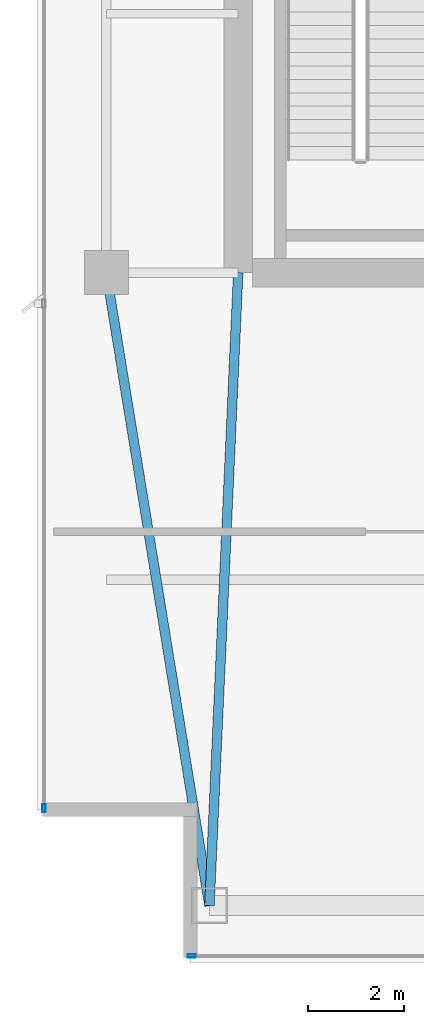
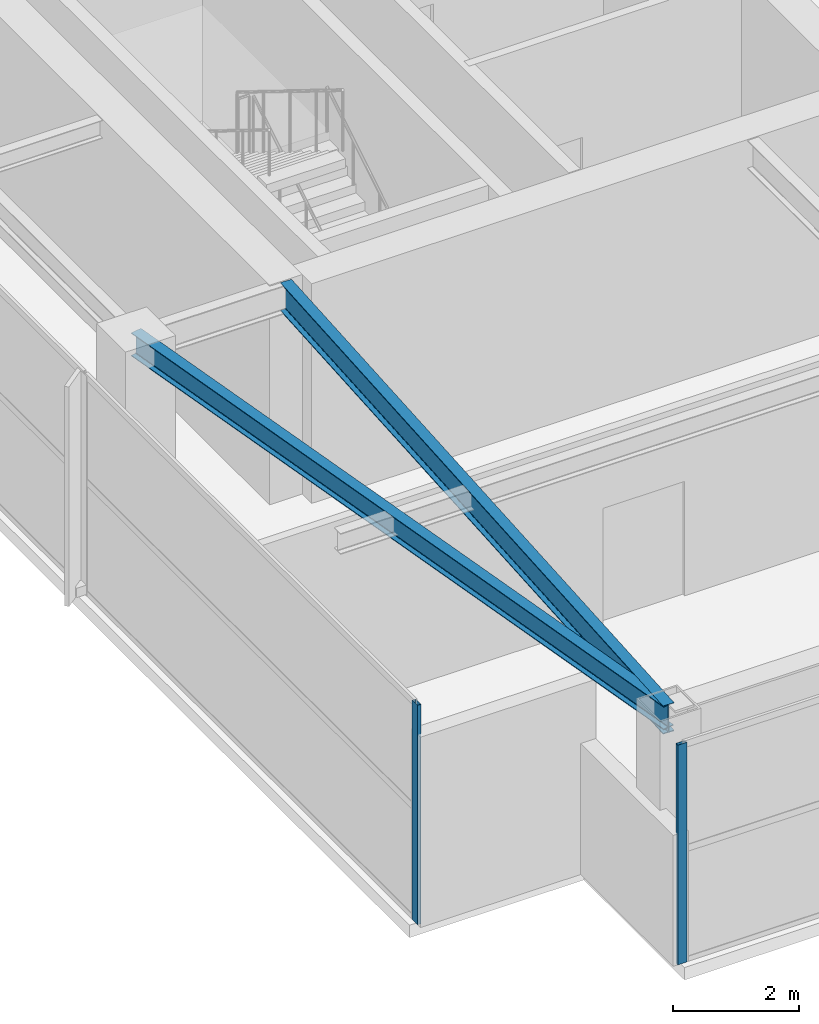
# One storey, part 2 of 25: 2 beams, 2 members, 2 elements without a shape of their own.
"""IFC4 building model written with IfcOpenShell, lengths in metres."""

from ifc_helpers import new_model, si_unit, direction, frame, origin, origin_2d, place, context, subcontext, project, spatial, hollow_rectangle, i_section, extrude, material, layer, layer_set, material_profile, profile_set, type_object, element, aggregate, save


model = new_model("IFC4")

# Units and contexts
model_context = context("Model", 3, precision=1e-05, world=origin(), true_north=direction((0.0, 1.0)))
body_context = subcontext(model_context, "Body", "Model", "MODEL_VIEW")
ifc_project = project(units=[si_unit("LENGTHUNIT", "METRE"), si_unit("AREAUNIT", "SQUARE_METRE"), si_unit("VOLUMEUNIT", "CUBIC_METRE"), si_unit("PLANEANGLEUNIT", "RADIAN"), si_unit("MASSUNIT", "GRAM", prefix="KILO")], contexts=[model_context])

# Site, building, storey
site_placement = place(None, origin())
site = spatial("IfcSite", under=ifc_project, at=site_placement, CompositionType="ELEMENT")
building_placement = place(site_placement, origin())
building = spatial("IfcBuilding", under=site, at=building_placement, Name="Calvorn Quay Hotel", CompositionType="ELEMENT")
storey_placement = place(building_placement, frame((0.0, 0.0, 316.0)))
storey = spatial("IfcBuildingStorey", under=building, at=storey_placement, Name="L78", CompositionType="ELEMENT", Elevation=316.0)

# Beams
ifc_material_1 = material(Name="Steel Q355B", Category="steel")
ifc_material_profile_1 = material_profile(ifc_material_1, i_section(OverallWidth=0.199951171875, OverallDepth=0.550048828125, WebThickness=0.010009765625, FlangeThickness=0.01611328125, FilletRadius=0.01806640625, at=origin_2d()), Name="HN550x200x10x16")
ifc_profile_set_1 = profile_set([ifc_material_profile_1], Name="Steel Q355B")
beam_type_1 = type_object("IfcBeamType", Name="BM-GIRD-UPP", PredefinedType="BEAM", material=ifc_profile_set_1)
beam_1_placement = place(storey_placement, frame((3.60009765625, 3.60009765625, 3.965087890625), z_axis=(0.045396765494, 0.998969035397, 0.0), x_axis=(-0.998969035397, 0.045396765494, 0.0)))
element("IfcBeam", 1, at=beam_1_placement, inside=storey, type_object=beam_type_1, Name="Beam BG-L78-W0", PredefinedType="BEAM", context=body_context, shape_type="SweptSolid", body=[
    extrude(i_section(OverallWidth=0.199951171875, OverallDepth=0.550048828125, WebThickness=0.010009765625, FlangeThickness=0.01611328125, FilletRadius=0.01806640625, at=origin_2d()), origin(), (0.0, 0.0, 1.0), 13.213623046875),
])
ifc_material_2 = material(Name="Steel Q355B", Category="steel")
ifc_material_profile_2 = material_profile(ifc_material_2, i_section(OverallWidth=0.199951171875, OverallDepth=0.449951171875, WebThickness=0.009033203125, FlangeThickness=0.013916015625, FilletRadius=0.01611328125, at=origin_2d()), Name="HN450x200x9x14")
ifc_profile_set_2 = profile_set([ifc_material_profile_2], Name="Steel Q355B")
beam_type_2 = type_object("IfcBeamType", Name="BM-SPANDREL-Z3", PredefinedType="SPANDREL", material=ifc_profile_set_2)
beam_2_placement = place(storey_placement, frame((3.60009765625, 3.60009765625, 4.014892578125), z_axis=(-0.16077155054, 0.986991645627, 0.0), x_axis=(-0.986991645627, -0.16077155054, 0.0)))
element("IfcBeam", 2, at=beam_2_placement, inside=storey, type_object=beam_type_2, Name="Beam BSP-L78-W1", PredefinedType="SPANDREL", context=body_context, shape_type="SweptSolid", body=[
    extrude(i_section(OverallWidth=0.199951171875, OverallDepth=0.449951171875, WebThickness=0.009033203125, FlangeThickness=0.013916015625, FilletRadius=0.01611328125, at=origin_2d()), origin(), (0.0, 0.0, 1.0), 13.3740234375),
])

# Curtain wall, member
ifc_material_3 = material(Name="Champagne Bronze Anodised Aluminium and Low-E Glass", Category="aluminium")
ifc_layer = layer(ifc_material_3, 0.219970703125)
ifc_layer_set = layer_set([ifc_layer], Name="CW-SYS-Z4")
curtain_wall_type = type_object("IfcCurtainWallType", Name="CW-SYS-Z4", PredefinedType="NOTDEFINED", material=ifc_layer_set)
curtain_wall_1_placement = place(storey_placement, origin())
curtain_wall_1 = element("IfcCurtainWall", 3, at=curtain_wall_1_placement, inside=storey, type_object=curtain_wall_type, Name="Tower West Curtain Wall (L78)", PredefinedType="NOTDEFINED")
ifc_material_4 = material(Name="Champagne Bronze Anodised Aluminium 6063-T6", Category="aluminium")
ifc_material_profile_3 = material_profile(ifc_material_4, hollow_rectangle(XDim=0.06494140625, YDim=0.169921875, WallThickness=0.00341796875, at=origin_2d()), Name="ALU-M170x65x3.5")
ifc_profile_set_3 = profile_set([ifc_material_profile_3], Name="Champagne Bronze Anodised Aluminium 6063-T6")
member_type = type_object("IfcMemberType", Name="CW-SYS-Z4-MUL", PredefinedType="MULLION", material=ifc_profile_set_3)
member_1_placement = place(storey_placement, frame((0.14990234375, 5.6298828125, 0.0), z_axis=(0.0, 0.0, 1.0), x_axis=(-1.0, 0.0, 0.0)))
member_1 = element("IfcMember", 4, at=member_1_placement, type_object=member_type, Name="CW-L78-W mullion 1", PredefinedType="MULLION", context=body_context, shape_type="SweptSolid", body=[
    extrude(hollow_rectangle(XDim=0.06494140625, YDim=0.169921875, WallThickness=0.00341796875, at=origin_2d()), origin(), (0.0, 0.0, 1.0), 4.260009765625),
])
aggregate(curtain_wall_1, [member_1])

curtain_wall_2_placement = place(storey_placement, origin())
curtain_wall_2 = element("IfcCurtainWall", 5, at=curtain_wall_2_placement, inside=storey, type_object=curtain_wall_type, Name="Tower South Waterfront Curtain Wall (L78)", PredefinedType="NOTDEFINED")
member_2_placement = place(storey_placement, frame((3.22998046875, 2.550048828125, 0.0), z_axis=(0.0, 0.0, 1.0), x_axis=(0.0, 1.0, 0.0)))
member_2 = element("IfcMember", 6, at=member_2_placement, type_object=member_type, Name="CW-L78-S mullion 1", PredefinedType="MULLION", context=body_context, shape_type="SweptSolid", body=[
    extrude(hollow_rectangle(XDim=0.06494140625, YDim=0.169921875, WallThickness=0.00341796875, at=origin_2d()), origin(), (0.0, 0.0, 1.0), 4.260009765625),
])
aggregate(curtain_wall_2, [member_2])

save(model, "model.ifc")
